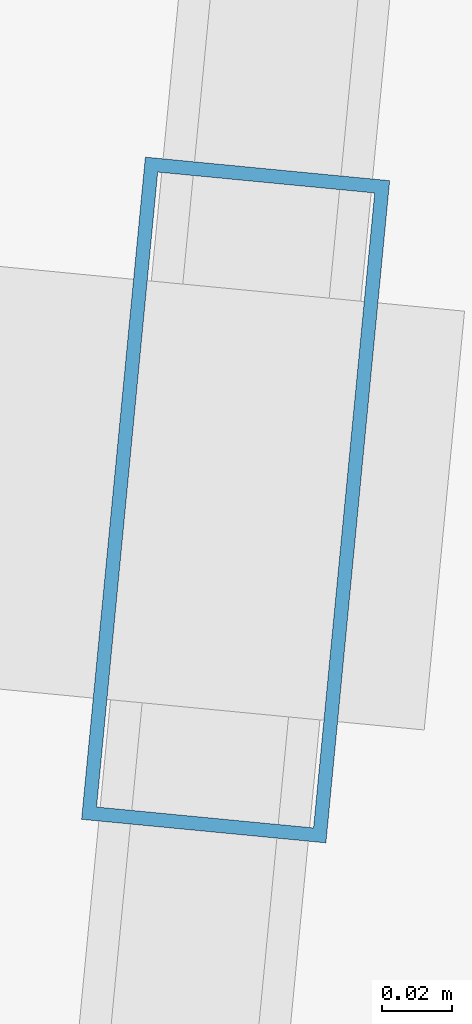
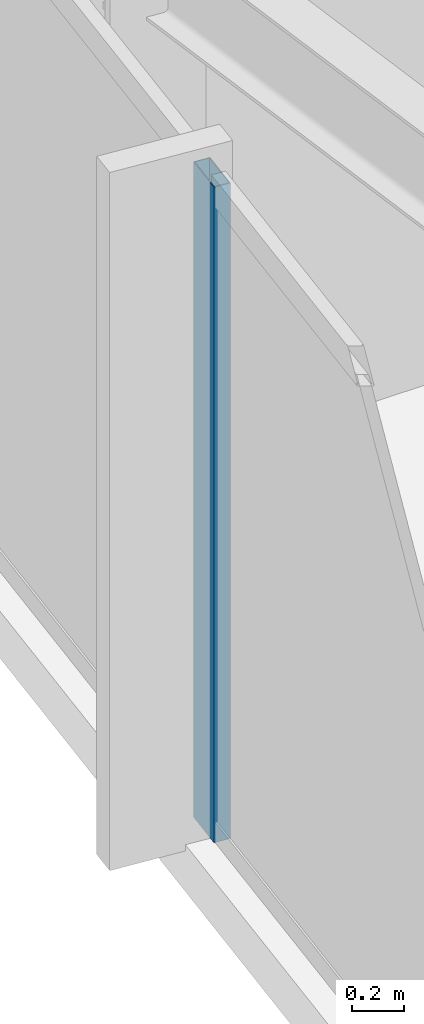
# One storey, part 4 of 37: 1 member, 1 element without a shape of its own.
"""IFC4 building model written with IfcOpenShell, lengths in metres."""

from ifc_helpers import new_model, si_unit, direction, frame, origin, origin_2d, place, context, subcontext, project, spatial, hollow_rectangle, extrude, material, material_profile, profile_set, type_object, element, aggregate, save


model = new_model("IFC4")

# Units and contexts
model_context = context("Model", 3, precision=1e-05, world=origin(), true_north=direction((0.0, 1.0)))
body_context = subcontext(model_context, "Body", "Model", "MODEL_VIEW")
ifc_project = project(units=[si_unit("LENGTHUNIT", "METRE"), si_unit("AREAUNIT", "SQUARE_METRE"), si_unit("VOLUMEUNIT", "CUBIC_METRE"), si_unit("PLANEANGLEUNIT", "RADIAN"), si_unit("MASSUNIT", "GRAM", prefix="KILO")], contexts=[model_context])

# Site, building, storey
site_placement = place(None, origin())
site = spatial("IfcSite", under=ifc_project, at=site_placement, CompositionType="ELEMENT")
building_placement = place(site_placement, origin())
building = spatial("IfcBuilding", under=site, at=building_placement, Name="Yelkora Congress Tower", CompositionType="ELEMENT")
storey_placement = place(building_placement, frame((0.0, 0.0, 162.199951171875)))
storey = spatial("IfcBuildingStorey", under=building, at=storey_placement, Name="L44", CompositionType="ELEMENT", Elevation=162.199951171875)

# Curtain wall, member
ifc_material_1 = material(Name="Anodised aluminium and insulated glass", Category="aluminium")
curtain_wall_type = type_object("IfcCurtainWallType", Name="CW-SYS-B3", PredefinedType="NOTDEFINED", material=ifc_material_1)
curtain_wall_placement = place(storey_placement, origin())
curtain_wall = element("IfcCurtainWall", 1, at=curtain_wall_placement, inside=storey, type_object=curtain_wall_type, Name="L44 Unitised Curtain Wall 5", PredefinedType="NOTDEFINED")
ifc_material_2 = material(Name="Anodised aluminium 6063-T6", Category="aluminium")
ifc_material_profile = material_profile(ifc_material_2, hollow_rectangle(XDim=0.070068359375, YDim=0.18994140625, WallThickness=0.00390625, at=origin_2d()), Name="ALU 70x190x4")
ifc_profile_set = profile_set([ifc_material_profile], Name="Anodised aluminium 6063-T6")
member_type = type_object("IfcMemberType", Name="MEM-ML-B3", PredefinedType="MULLION", material=ifc_profile_set)
member_placement = place(storey_placement, frame((1.9248046875, 22.962158203125, 0.0), z_axis=(0.0, 0.0, 1.0), x_axis=(-0.995396242473, 0.095845294465, 0.0)))
member = element("IfcMember", 2, at=member_placement, type_object=member_type, Name="CW-B3 mullion 2", PredefinedType="MULLION", context=body_context, shape_type="SweptSolid", body=[
    extrude(hollow_rectangle(XDim=0.070068359375, YDim=0.18994140625, WallThickness=0.00390625, at=origin_2d()), origin(), (0.0, 0.0, 1.0), 3.080078125),
])
aggregate(curtain_wall, [member])

save(model, "model.ifc")
